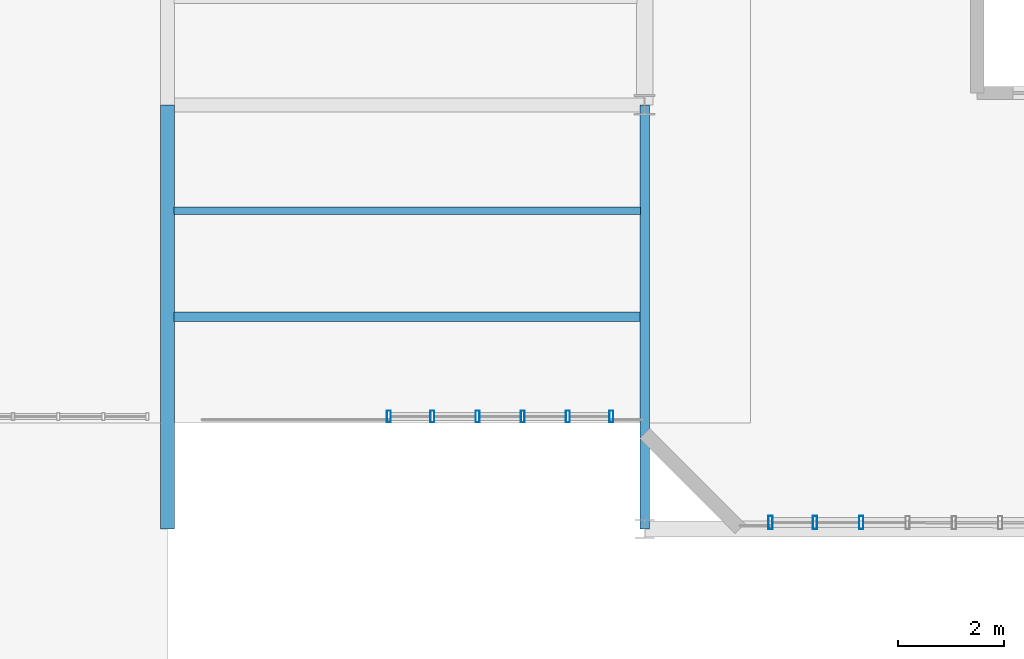
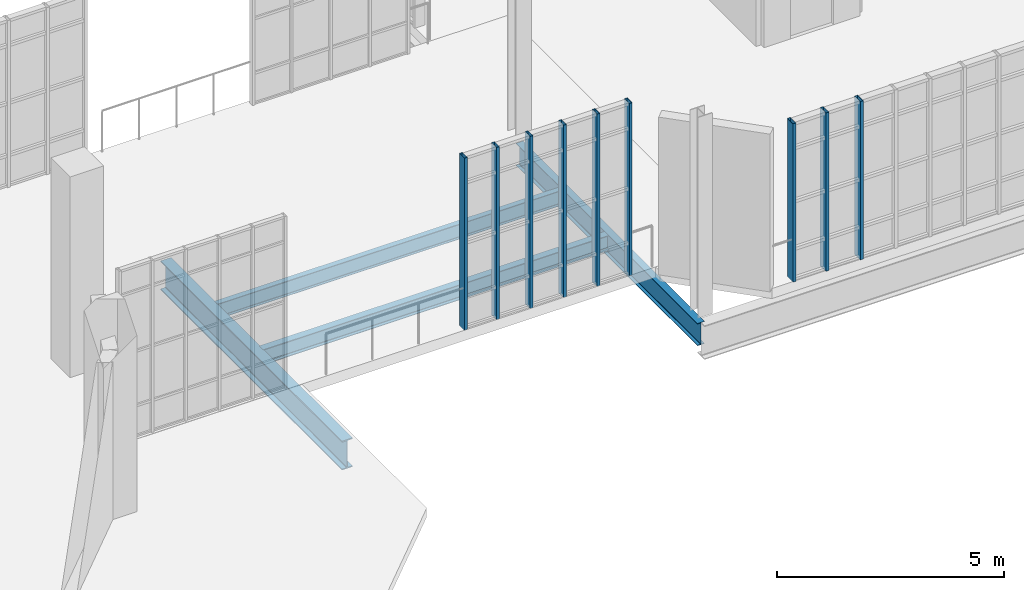
# One storey, part 22 of 142: 9 members, 4 beams, 2 elements without a shape of their own.
"""IFC4 building model written with IfcOpenShell, lengths in metres."""

import ifcopenshell
import ifcopenshell.guid

model = None  # the IFC model being written
_history = None  # IfcOwnerHistory: only IFC2X3 demands one
_inside = {}  # id of a spatial element -> (the spatial element, [elements in it])
_under = {}  # id of a project, library or spatial element -> (it, [spatial elements below it])
_declared = {}  # id of a project -> (the project, [libraries it declares])
_typed = {}  # id of a type object -> (the type object, [elements of that type])
_made_of = {}  # id of a material, layer set ... -> (it, [elements and type objects made of it])


def new_model(schema):
    """Start an empty IFC model of exactly this schema.

    Asked for "IFC4X3", IfcOpenShell would pick the latest addendum, in which some entities
    have other attributes; the version numbers below select the first issue.
    IFC2X3 requires an IfcOwnerHistory on every rooted entity: one is made here for all.
    """
    global model, _history
    if schema == "IFC4X3":
        model = ifcopenshell.file(schema_version=(4, 3, 0, 0))
    else:
        model = ifcopenshell.file(schema=schema)
    _inside.clear()
    _under.clear()
    _declared.clear()
    _typed.clear()
    _made_of.clear()
    _history = None
    if model.schema == "IFC2X3":
        org = make("IfcOrganization", Name="unknown")
        user = make(
            "IfcPersonAndOrganization",
            ThePerson=make("IfcPerson", FamilyName="unknown"),
            TheOrganization=org,
        )
        app = make(
            "IfcApplication",
            ApplicationDeveloper=org,
            Version="unknown",
            ApplicationFullName="unknown",
            ApplicationIdentifier="unknown",
        )
        _history = make(
            "IfcOwnerHistory",
            OwningUser=user,
            OwningApplication=app,
            ChangeAction="ADDED",
            CreationDate=0,
        )
    return model


def make(cls, **values):
    """One entity of the class cls with the attributes given. An attribute that is None is left unset."""
    return model.create_entity(
        cls, **{name: value for name, value in values.items() if value is not None}
    )


def rooted(cls, **values):
    """An entity with a GlobalId (a new one), such as an element, a storey or a relation."""
    return make(cls, GlobalId=ifcopenshell.guid.new(), OwnerHistory=_history, **values)


def si_unit(unit_type, name, prefix=None):
    """IfcSIUnit, for example si_unit("LENGTHUNIT", "METRE", prefix="MILLI")."""
    return make("IfcSIUnit", UnitType=unit_type, Prefix=prefix, Name=name)


def assignment(units):
    """IfcUnitAssignment: the units of a project."""
    return None if units is None else make("IfcUnitAssignment", Units=units)


def point(xyz):
    """IfcCartesianPoint."""
    return None if xyz is None else make("IfcCartesianPoint", Coordinates=xyz)


def direction(xyz):
    """IfcDirection."""
    return None if xyz is None else make("IfcDirection", DirectionRatios=xyz)


def frame(location, z_axis=None, x_axis=None):
    """IfcAxis2Placement3D, a coordinate frame: its origin and axes. An axis left out is left unset."""
    return make(
        "IfcAxis2Placement3D",
        Location=point(location),
        Axis=direction(z_axis),
        RefDirection=direction(x_axis),
    )


def frame_2d(location, x_axis=None):
    """IfcAxis2Placement2D, a coordinate frame in the plane: its origin and x axis."""
    return make(
        "IfcAxis2Placement2D", Location=point(location), RefDirection=direction(x_axis)
    )


def origin():
    """The frame at (0, 0, 0) with its axes left unset."""
    return frame((0.0, 0.0, 0.0))


def origin_2d():
    """The frame at (0, 0) in the plane with its x axis left unset."""
    return frame_2d((0.0, 0.0))


def place(relative_to, where):
    """IfcLocalPlacement: puts the frame where relative to a parent placement (None: the world)."""
    return make(
        "IfcLocalPlacement", PlacementRelTo=relative_to, RelativePlacement=where
    )


def context(
    kind, dimensions, precision=None, world=None, true_north=None, identifier=None
):
    """IfcGeometricRepresentationContext, for example the 3D "Model" context."""
    return make(
        "IfcGeometricRepresentationContext",
        ContextIdentifier=identifier,
        ContextType=kind,
        CoordinateSpaceDimension=dimensions,
        Precision=precision,
        WorldCoordinateSystem=world,
        TrueNorth=true_north,
    )


def subcontext(parent, identifier, kind, view, scale=None):
    """IfcGeometricRepresentationSubContext, for example "Body" below "Model"."""
    return make(
        "IfcGeometricRepresentationSubContext",
        ContextIdentifier=identifier,
        ContextType=kind,
        ParentContext=parent,
        TargetScale=scale,
        TargetView=view,
    )


def project(units=None, contexts=None):
    """IfcProject with its units and contexts."""
    return rooted(
        "IfcProject",
        Name="project",
        RepresentationContexts=contexts,
        UnitsInContext=assignment(units),
    )


def spatial(cls, under=None, at=None, **own):
    """A site, building, storey or space (cls), placed at a placement, below another one or the project."""
    s = rooted(cls, ObjectPlacement=at, **own)
    if under is not None:
        _under.setdefault(under.id(), (under, []))[1].append(s)
    return s


def profile(cls, at=None, kind="AREA", **sizes):
    """A parametric profile (cls). Its sizes go by their IFC names, for example OverallWidth=200.0."""
    return make(cls, ProfileType=kind, Position=at, **sizes)


def hollow_rectangle(**sizes):
    """IfcRectangleHollowProfileDef."""
    return profile("IfcRectangleHollowProfileDef", **sizes)


def i_section(**sizes):
    """IfcIShapeProfileDef."""
    return profile("IfcIShapeProfileDef", **sizes)


def extrude(swept, where, along, depth):
    """IfcExtrudedAreaSolid: the profile swept, set in the frame where, extruded along a direction by depth."""
    return make(
        "IfcExtrudedAreaSolid",
        SweptArea=swept,
        Position=where,
        ExtrudedDirection=direction(along),
        Depth=depth,
    )


def shape(context_of_items, identifier, shape_type, items):
    """IfcShapeRepresentation: the items that make up one representation, for example the "Body"."""
    return make(
        "IfcShapeRepresentation",
        ContextOfItems=context_of_items,
        RepresentationIdentifier=identifier,
        RepresentationType=shape_type,
        Items=items,
    )


def material(Name=None, Category=None):
    """IfcMaterial."""
    return make("IfcMaterial", Name=Name, Category=Category)


def layer(
    of_material, thickness, ventilated=None, Name=None, Category=None, Priority=None
):
    """IfcMaterialLayer: one layer of a wall or slab, of a material (None: an air gap)."""
    return make(
        "IfcMaterialLayer",
        Material=of_material,
        LayerThickness=thickness,
        IsVentilated=ventilated,
        Name=Name,
        Category=Category,
        Priority=Priority,
    )


def layer_set(layers, Name=None):
    """IfcMaterialLayerSet."""
    return make("IfcMaterialLayerSet", MaterialLayers=layers, LayerSetName=Name)


def material_profile(
    of_material, cross_section, Name=None, Category=None, Priority=None
):
    """IfcMaterialProfile: a cross section and its material."""
    return make(
        "IfcMaterialProfile",
        Name=Name,
        Material=of_material,
        Profile=cross_section,
        Priority=Priority,
        Category=Category,
    )


def profile_set(profiles, Name=None, composite=None):
    """IfcMaterialProfileSet."""
    return make(
        "IfcMaterialProfileSet",
        Name=Name,
        MaterialProfiles=profiles,
        CompositeProfile=composite,
    )


def made_of(thing, what):
    """Note that an element or type object is made of a material, layer set ...; save() writes the relation."""
    if what is not None:
        _made_of.setdefault(what.id(), (what, []))[1].append(thing)
    return thing


def type_object(cls, material=None, **own):
    """A type object (cls), such as IfcWallType, which elements share."""
    return made_of(rooted(cls, **own), material)


def element(
    cls,
    number,
    at=None,
    inside=None,
    cuts=None,
    type_object=None,
    material=None,
    context=None,
    identifier="Body",
    shape_type=None,
    held_by="IfcProductDefinitionShape",
    body=None,
    shapes=None,
    **own,
):
    """One element of the class cls, such as IfcWall. Its Tag is "e" and its number.

    at: its placement. inside: the storey or other place that contains it. cuts: it is an
    opening in that element (IfcRelVoidsElement). A single representation is given by context,
    identifier, shape_type and body (its items); several are given by shapes. held_by: the class
    of the entity that holds the representations. save() writes the other relations.
    """
    e = rooted(cls, Tag="e%d" % number, ObjectPlacement=at, **own)
    if body is not None:
        shapes = [shape(context, identifier, shape_type, body)]
    if shapes is not None:
        e.Representation = make(held_by, Representations=shapes)
    if inside is not None:
        _inside.setdefault(inside.id(), (inside, []))[1].append(e)
    if cuts is not None:
        rooted(
            "IfcRelVoidsElement", RelatingBuildingElement=cuts, RelatedOpeningElement=e
        )
    if type_object is not None:
        _typed.setdefault(type_object.id(), (type_object, []))[1].append(e)
    return made_of(e, material)


def aggregate(whole, parts):
    """IfcRelAggregates: a whole, such as a stair, and the parts it consists of."""
    return rooted("IfcRelAggregates", RelatingObject=whole, RelatedObjects=parts)


def save(model, path):
    """Write the relations noted so far, then the file.

    IfcRelAggregates (storeys below a building ...), IfcRelContainedInSpatialStructure (elements
    in a storey), IfcRelDefinesByType, IfcRelAssociatesMaterial and IfcRelDeclares: one each for
    every whole, place, type object, material and project.
    """
    for whole, parts in _under.values():
        aggregate(whole, parts)
    for where, things in _inside.values():
        rooted(
            "IfcRelContainedInSpatialStructure",
            RelatedElements=things,
            RelatingStructure=where,
        )
    for kind, things in _typed.values():
        rooted("IfcRelDefinesByType", RelatedObjects=things, RelatingType=kind)
    for what, things in _made_of.values():
        rooted("IfcRelAssociatesMaterial", RelatedObjects=things, RelatingMaterial=what)
    for by, libraries in _declared.values():
        rooted("IfcRelDeclares", RelatingContext=by, RelatedDefinitions=libraries)
    model.write(path)


model = new_model("IFC4")

# Units and contexts
model_context = context("Model", 3, precision=1e-05, world=origin(), true_north=direction((0.0, 1.0)))
body_context = subcontext(model_context, "Body", "Model", "MODEL_VIEW")
ifc_project = project(units=[si_unit("LENGTHUNIT", "METRE"), si_unit("AREAUNIT", "SQUARE_METRE"), si_unit("VOLUMEUNIT", "CUBIC_METRE"), si_unit("PLANEANGLEUNIT", "RADIAN"), si_unit("MASSUNIT", "GRAM", prefix="KILO"), si_unit("THERMODYNAMICTEMPERATUREUNIT", "KELVIN"), si_unit("POWERUNIT", "WATT")], contexts=[model_context])

# Site, building, storey
site_placement = place(None, origin())
site = spatial("IfcSite", under=ifc_project, at=site_placement, CompositionType="ELEMENT")
building_placement = place(site_placement, origin())
building = spatial("IfcBuilding", under=site, at=building_placement, Name="Zelmaris Science Centre", CompositionType="ELEMENT")
storey_placement = place(building_placement, frame((0.0, 0.0, 5.39990234375)))
storey = spatial("IfcBuildingStorey", under=building, at=storey_placement, Name="L01", CompositionType="ELEMENT", Elevation=5.39990234375)

# Curtain wall, members
ifc_material_1 = material(Name="Anodised architectural aluminium 6063-T6", Category="aluminium")
ifc_layer_1 = layer(ifc_material_1, 0.199951171875, Name="Anodised architectural aluminium 6063-T6")
ifc_layer_set_1 = layer_set([ifc_layer_1], Name="Anodised architectural aluminium 6063-T6")
curtain_wall_type_1 = type_object("IfcCurtainWallType", Name="Curtain Wall CW-02", PredefinedType="USERDEFINED", material=ifc_layer_set_1)
curtain_wall_1_placement = place(storey_placement, origin())
curtain_wall_1 = element("IfcCurtainWall", 1, at=curtain_wall_1_placement, inside=storey, type_object=curtain_wall_type_1, Name="L01 Unitised curtain wall 198", ObjectType="GLAZED CURTAIN WALL", PredefinedType="USERDEFINED")
ifc_material_profile_1 = material_profile(ifc_material_1, hollow_rectangle(XDim=0.074951171875, YDim=0.219970703125, WallThickness=0.0048828125, at=origin_2d()), Name="ALU-MUL-75X220")
ifc_profile_set_1 = profile_set([ifc_material_profile_1], Name="Anodised architectural aluminium 6063-T6")
member_type_1 = type_object("IfcMemberType", Name="ALU-MUL-75X220", PredefinedType="MULLION", material=ifc_profile_set_1)
member_1_placement = place(storey_placement, frame((53.372314453125, 66.11962890625, -0.014892578125), z_axis=(0.0, 0.0, 1.0), x_axis=(-1.0, 0.0, 0.0)))
member_1 = element("IfcMember", 2, at=member_1_placement, type_object=member_type_1, Name="CW-02 mullion 1", PredefinedType="MULLION", context=body_context, shape_type="SweptSolid", body=[
    extrude(hollow_rectangle(XDim=0.074951171875, YDim=0.219970703125, WallThickness=0.0048828125, at=origin_2d()), origin(), (0.0, 0.0, 1.0), 4.635009765625),
])
member_2_placement = place(storey_placement, frame((52.55322265625, 66.11962890625, -0.014892578125), z_axis=(0.0, 0.0, 1.0), x_axis=(-1.0, 0.0, 0.0)))
member_2 = element("IfcMember", 3, at=member_2_placement, type_object=member_type_1, Name="CW-02 mullion 2", PredefinedType="MULLION", context=body_context, shape_type="SweptSolid", body=[
    extrude(hollow_rectangle(XDim=0.074951171875, YDim=0.219970703125, WallThickness=0.0048828125, at=origin_2d()), origin(), (0.0, 0.0, 1.0), 4.635009765625),
])
member_3_placement = place(storey_placement, frame((51.70068359375, 66.11962890625, -0.014892578125), z_axis=(0.0, 0.0, 1.0), x_axis=(-1.0, 0.0, 0.0)))
member_3 = element("IfcMember", 4, at=member_3_placement, type_object=member_type_1, Name="CW-02 mullion 3", PredefinedType="MULLION", context=body_context, shape_type="SweptSolid", body=[
    extrude(hollow_rectangle(XDim=0.074951171875, YDim=0.219970703125, WallThickness=0.0048828125, at=origin_2d()), origin(), (0.0, 0.0, 1.0), 4.635009765625),
])
member_4_placement = place(storey_placement, frame((50.847900390625, 66.11962890625, -0.014892578125), z_axis=(0.0, 0.0, 1.0), x_axis=(-1.0, 0.0, 0.0)))
member_4 = element("IfcMember", 5, at=member_4_placement, type_object=member_type_1, Name="CW-02 mullion 4", PredefinedType="MULLION", context=body_context, shape_type="SweptSolid", body=[
    extrude(hollow_rectangle(XDim=0.074951171875, YDim=0.219970703125, WallThickness=0.0048828125, at=origin_2d()), origin(), (0.0, 0.0, 1.0), 4.635009765625),
])
member_5_placement = place(storey_placement, frame((49.995361328125, 66.11962890625, -0.014892578125), z_axis=(0.0, 0.0, 1.0), x_axis=(-1.0, 0.0, 0.0)))
member_5 = element("IfcMember", 6, at=member_5_placement, type_object=member_type_1, Name="CW-02 mullion 5", PredefinedType="MULLION", context=body_context, shape_type="SweptSolid", body=[
    extrude(hollow_rectangle(XDim=0.074951171875, YDim=0.219970703125, WallThickness=0.0048828125, at=origin_2d()), origin(), (0.0, 0.0, 1.0), 4.635009765625),
])
member_6_placement = place(storey_placement, frame((49.176025390625, 66.11962890625, -0.014892578125), z_axis=(0.0, 0.0, 1.0), x_axis=(-1.0, 0.0, 0.0)))
member_6 = element("IfcMember", 7, at=member_6_placement, type_object=member_type_1, Name="CW-02 mullion 6", PredefinedType="MULLION", context=body_context, shape_type="SweptSolid", body=[
    extrude(hollow_rectangle(XDim=0.074951171875, YDim=0.219970703125, WallThickness=0.0048828125, at=origin_2d()), origin(), (0.0, 0.0, 1.0), 4.635009765625),
])
aggregate(curtain_wall_1, [member_1, member_2, member_3, member_4, member_5, member_6])

ifc_layer_2 = layer(ifc_material_1, 0.18994140625, Name="Anodised architectural aluminium 6063-T6")
ifc_layer_set_2 = layer_set([ifc_layer_2], Name="Anodised architectural aluminium 6063-T6")
curtain_wall_type_2 = type_object("IfcCurtainWallType", Name="Curtain Wall CW-01", PredefinedType="USERDEFINED", material=ifc_layer_set_2)
curtain_wall_2_placement = place(storey_placement, origin())
curtain_wall_2 = element("IfcCurtainWall", 8, at=curtain_wall_2_placement, inside=storey, type_object=curtain_wall_type_2, Name="L01 Unitised curtain wall 197", ObjectType="GLAZED CURTAIN WALL", PredefinedType="USERDEFINED")
ifc_material_profile_2 = material_profile(ifc_material_1, hollow_rectangle(XDim=0.080078125, YDim=0.25, WallThickness=0.0048828125, at=origin_2d()), Name="ALU-MUL-80X250")
ifc_profile_set_2 = profile_set([ifc_material_profile_2], Name="Anodised architectural aluminium 6063-T6")
member_type_2 = type_object("IfcMemberType", Name="ALU-MUL-80X250", PredefinedType="MULLION", material=ifc_profile_set_2)
member_7_placement = place(storey_placement, frame((58.088623046875, 64.117919921875, -0.014892578125), z_axis=(0.0, 0.0, 1.0), x_axis=(-0.999999576995, 0.000919788386, 0.0)))
member_7 = element("IfcMember", 9, at=member_7_placement, type_object=member_type_2, Name="CW-01 mullion 6", PredefinedType="MULLION", context=body_context, shape_type="SweptSolid", body=[
    extrude(hollow_rectangle(XDim=0.080078125, YDim=0.25, WallThickness=0.0048828125, at=origin_2d()), origin(), (0.0, 0.0, 1.0), 4.259033203125),
])
member_8_placement = place(storey_placement, frame((57.21435546875, 64.118896484375, -0.014892578125), z_axis=(0.0, 0.0, 1.0), x_axis=(-0.999999576995, 0.000919788386, 0.0)))
member_8 = element("IfcMember", 10, at=member_8_placement, type_object=member_type_2, Name="CW-01 mullion 7", PredefinedType="MULLION", context=body_context, shape_type="SweptSolid", body=[
    extrude(hollow_rectangle(XDim=0.080078125, YDim=0.25, WallThickness=0.0048828125, at=origin_2d()), origin(), (0.0, 0.0, 1.0), 4.259033203125),
])
member_9_placement = place(storey_placement, frame((56.376220703125, 64.11962890625, -0.014892578125), z_axis=(0.0, 0.0, 1.0), x_axis=(-0.999999576995, 0.000919788386, 0.0)))
member_9 = element("IfcMember", 11, at=member_9_placement, type_object=member_type_2, Name="CW-01 mullion 8", PredefinedType="MULLION", context=body_context, shape_type="SweptSolid", body=[
    extrude(hollow_rectangle(XDim=0.080078125, YDim=0.25, WallThickness=0.0048828125, at=origin_2d()), origin(), (0.0, 0.0, 1.0), 4.259033203125),
])
aggregate(curtain_wall_2, [member_7, member_8, member_9])

# Beams
ifc_material_2 = material(Name="Steel ASTM A992 Grade 50", Category="steel")
ifc_material_profile_3 = material_profile(ifc_material_2, i_section(OverallWidth=0.26708984375, OverallDepth=0.780029296875, WebThickness=0.0166015625, FlangeThickness=0.030029296875, FilletRadius=0.01904296875, at=origin_2d()), Name="W30X148")
ifc_profile_set_3 = profile_set([ifc_material_profile_3], Name="Steel ASTM A992 Grade 50")
beam_type_1 = type_object("IfcBeamType", Name="Beam G-32 W30X148", PredefinedType="BEAM", material=ifc_profile_set_3)
beam_1_placement = place(storey_placement, frame((45.0, 64.0, -0.669921875), z_axis=(0.0, 1.0, 0.0), x_axis=(-1.0, 0.0, 0.0)))
element("IfcBeam", 12, at=beam_1_placement, inside=storey, type_object=beam_type_1, Name="L01 North-south girder 269", PredefinedType="BEAM", context=body_context, shape_type="SweptSolid", body=[
    extrude(i_section(OverallWidth=0.26708984375, OverallDepth=0.780029296875, WebThickness=0.0166015625, FlangeThickness=0.030029296875, FilletRadius=0.01904296875, at=origin_2d()), origin(), (0.0, 0.0, 1.0), 8.0),
])
ifc_material_profile_4 = material_profile(ifc_material_2, i_section(OverallWidth=0.177978515625, OverallDepth=0.59912109375, WebThickness=0.010009765625, FlangeThickness=0.0126953125, FilletRadius=0.014892578125, at=origin_2d()), Name="W24X55")
ifc_profile_set_4 = profile_set([ifc_material_profile_4], Name="Steel ASTM A992 Grade 50")
beam_type_2 = type_object("IfcBeamType", Name="Beam G-38 W24X55", PredefinedType="BEAM", material=ifc_profile_set_4)
beam_2_placement = place(storey_placement, frame((54.0, 64.0, -0.579345703125), z_axis=(0.0, 1.0, 0.0), x_axis=(-1.0, 0.0, 0.0)))
element("IfcBeam", 13, at=beam_2_placement, inside=storey, type_object=beam_type_2, Name="L01 North-south girder 275", PredefinedType="BEAM", context=body_context, shape_type="SweptSolid", body=[
    extrude(i_section(OverallWidth=0.177978515625, OverallDepth=0.59912109375, WebThickness=0.010009765625, FlangeThickness=0.0126953125, FilletRadius=0.014892578125, at=origin_2d()), origin(), (0.0, 0.0, 1.0), 8.0),
])
ifc_material_profile_5 = material_profile(ifc_material_2, i_section(OverallWidth=0.177978515625, OverallDepth=0.408935546875, WebThickness=0.0087890625, FlangeThickness=0.014404296875, FilletRadius=0.011962890625, at=origin_2d()), Name="W16X45")
ifc_profile_set_5 = profile_set([ifc_material_profile_5], Name="Steel ASTM A992 Grade 50")
beam_type_3 = type_object("IfcBeamType", Name="Beam J-07 W16X45", PredefinedType="JOIST", material=ifc_profile_set_5)
beam_3_placement = place(storey_placement, frame((45.118408203125, 68.0, -0.484375), z_axis=(1.0, 0.0, 0.0), x_axis=(0.0, 1.0, 0.0)))
element("IfcBeam", 14, at=beam_3_placement, inside=storey, type_object=beam_type_3, Name="L01 Composite floor joist 141", PredefinedType="JOIST", context=body_context, shape_type="SweptSolid", body=[
    extrude(i_section(OverallWidth=0.177978515625, OverallDepth=0.408935546875, WebThickness=0.0087890625, FlangeThickness=0.014404296875, FilletRadius=0.011962890625, at=origin_2d()), origin(), (0.0, 0.0, 1.0), 8.8076171875),
])
ifc_material_profile_6 = material_profile(ifc_material_2, i_section(OverallWidth=0.139892578125, OverallDepth=0.404052734375, WebThickness=0.007080078125, FlangeThickness=0.01123046875, FilletRadius=0.011962890625, at=origin_2d()), Name="W16X31")
ifc_profile_set_6 = profile_set([ifc_material_profile_6], Name="Steel ASTM A992 Grade 50")
beam_type_4 = type_object("IfcBeamType", Name="Beam J-08 W16X31", PredefinedType="JOIST", material=ifc_profile_set_6)
beam_4_placement = place(storey_placement, frame((45.118408203125, 70.0, -0.48193359375), z_axis=(1.0, 0.0, 0.0), x_axis=(0.0, 1.0, 0.0)))
element("IfcBeam", 15, at=beam_4_placement, inside=storey, type_object=beam_type_4, Name="L01 Composite floor joist 142", PredefinedType="JOIST", context=body_context, shape_type="SweptSolid", body=[
    extrude(i_section(OverallWidth=0.139892578125, OverallDepth=0.404052734375, WebThickness=0.007080078125, FlangeThickness=0.01123046875, FilletRadius=0.011962890625, at=origin_2d()), origin(), (0.0, 0.0, 1.0), 8.8076171875),
])

save(model, "model.ifc")
